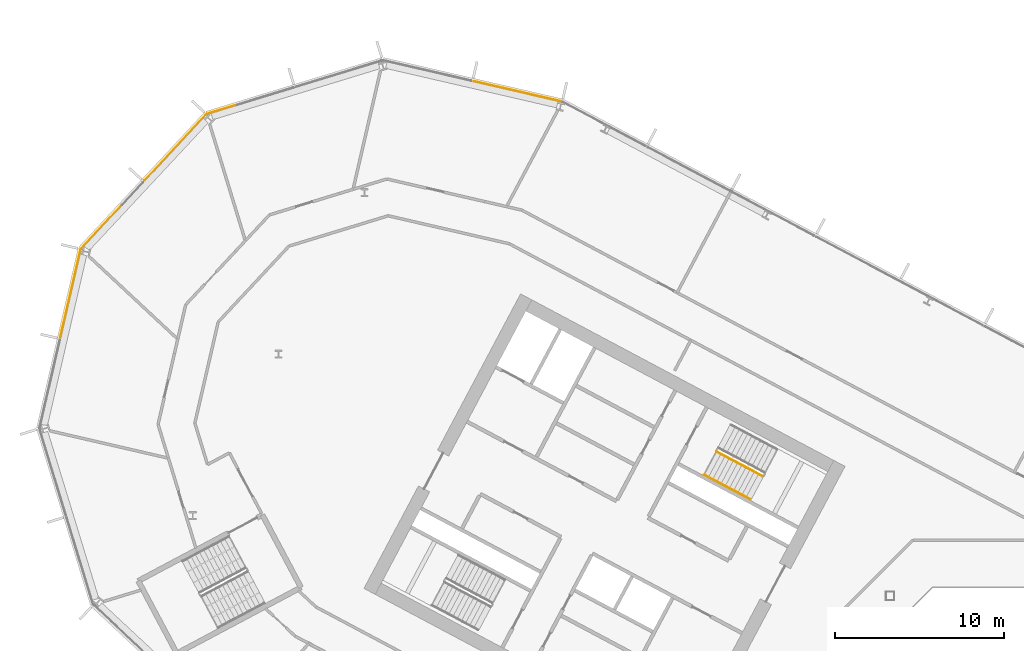
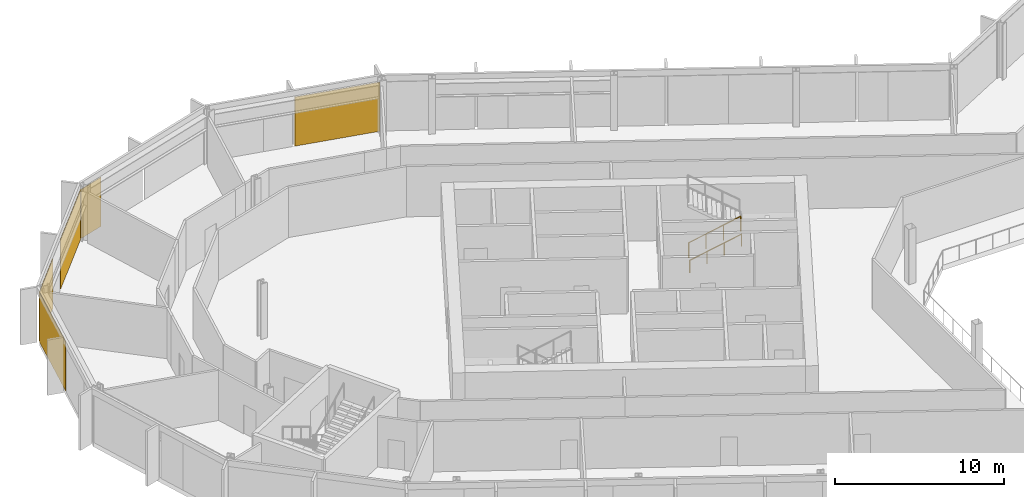
# One storey, part 22 of 28: 5 coverings, 2 railings, 4 elements without a shape of their own.
"""IFC4 building model written with IfcOpenShell, lengths in metres."""

from ifc_helpers import new_model, si_unit, direction, frame, origin, origin_2d, place, context, subcontext, project, spatial, polyline, rectangle, outline, extrude, material, layer, layer_set, type_object, element, aggregate, save


model = new_model("IFC4")

# Units and contexts
model_context = context("Model", 3, precision=1e-05, world=origin(), true_north=direction((0.0, 1.0)))
body_context = subcontext(model_context, "Body", "Model", "MODEL_VIEW")
ifc_project = project(units=[si_unit("LENGTHUNIT", "METRE"), si_unit("AREAUNIT", "SQUARE_METRE"), si_unit("VOLUMEUNIT", "CUBIC_METRE"), si_unit("PLANEANGLEUNIT", "RADIAN"), si_unit("MASSUNIT", "GRAM", prefix="KILO")], contexts=[model_context])

# Site, building, storey
site_placement = place(None, origin())
site = spatial("IfcSite", under=ifc_project, at=site_placement, CompositionType="ELEMENT")
building_placement = place(site_placement, origin())
building = spatial("IfcBuilding", under=site, at=building_placement, Name="Cormorant Relay Tower", CompositionType="ELEMENT")
storey_placement = place(building_placement, frame((0.0, 0.0, 134.199951171875)))
storey = spatial("IfcBuildingStorey", under=building, at=storey_placement, Name="L27", CompositionType="ELEMENT", Elevation=134.199951171875)

# Curtain wall, covering
ifc_material_1 = material(Name="Aluminium 6063-T6 anodised bronze", Category="aluminium")
ifc_layer_1 = layer(ifc_material_1, 0.199951171875)
ifc_layer_set_1 = layer_set([ifc_layer_1], Name="CW1 unitised bronze curtain wall with vertical fins")
curtain_wall_type = type_object("IfcCurtainWallType", Name="CW1 unitised bronze curtain wall with vertical fins", PredefinedType="NOTDEFINED", material=ifc_layer_set_1)
curtain_wall_1_placement = place(storey_placement, origin())
curtain_wall_1 = element("IfcCurtainWall", 1, at=curtain_wall_1_placement, inside=storey, type_object=curtain_wall_type, Name="CW1 curtain wall 10", PredefinedType="NOTDEFINED")
ifc_material_2 = material(Name="Pale bronze anodised aluminium insulated panel", Category="aluminium")
ifc_layer_2 = layer(ifc_material_2, 0.0400390625)
ifc_layer_set_2 = layer_set([ifc_layer_2], Name="CW1 pale bronze insulated panel 40")
covering_type = type_object("IfcCoveringType", Name="CW1 pale bronze insulated panel 40", PredefinedType="CLADDING", material=ifc_layer_set_2)
covering_1_placement = place(storey_placement, frame((-32.51708984375, 40.298828125, 0.0), z_axis=(0.0, 0.0, 1.0), x_axis=(-0.974370064785, 0.224951054344, 0.0)))
covering_1 = element("IfcCovering", 2, at=covering_1_placement, type_object=covering_type, Name="CW1 panel S00", PredefinedType="CLADDING", context=body_context, shape_type="SweptSolid", body=[
    extrude(rectangle(XDim=5.28515625, YDim=0.0400390625, at=origin_2d()), origin(), (0.0, 0.0, 1.0), 3.550048828125),
])
aggregate(curtain_wall_1, [covering_1])

curtain_wall_2_placement = place(storey_placement, origin())
curtain_wall_2 = element("IfcCurtainWall", 3, at=curtain_wall_2_placement, inside=storey, type_object=curtain_wall_type, Name="CW1 curtain wall 11", PredefinedType="NOTDEFINED")
covering_2_placement = place(storey_placement, frame((-50.025146484375, 39.211669921875, 0.0), z_axis=(0.0, 0.0, 1.0), x_axis=(-0.956304755963, -0.292371704723, 0.0)))
covering_2 = element("IfcCovering", 4, at=covering_2_placement, type_object=covering_type, Name="CW1 panel S02", PredefinedType="CLADDING", context=body_context, shape_type="SweptSolid", body=[
    extrude(rectangle(XDim=1.76025390625, YDim=0.0400390625, at=origin_2d()), origin(), (0.0, 0.0, 1.0), 3.550048828125),
])
aggregate(curtain_wall_2, [covering_2])

# Curtain wall, coverings
curtain_wall_3_placement = place(storey_placement, origin())
curtain_wall_3 = element("IfcCurtainWall", 5, at=curtain_wall_3_placement, inside=storey, type_object=curtain_wall_type, Name="CW1 curtain wall 12", PredefinedType="NOTDEFINED")
covering_3_placement = place(storey_placement, frame((-52.72900390625, 36.961181640625, 0.0), z_axis=(0.0, 0.0, 1.0), x_axis=(-0.681998360062, -0.731353701619, 0.0)))
covering_3 = element("IfcCovering", 6, at=covering_3_placement, type_object=covering_type, Name="CW1 panel S00", PredefinedType="CLADDING", context=body_context, shape_type="SweptSolid", body=[
    extrude(rectangle(XDim=5.28515625, YDim=0.0400390625, at=origin_2d()), origin(), (0.0, 0.0, 1.0), 3.550048828125),
])
covering_4_placement = place(storey_placement, frame((-57.0751953125, 32.300537109375, 0.0), z_axis=(0.0, 0.0, 1.0), x_axis=(-0.681998360062, -0.731353701619, 0.0)))
covering_4 = element("IfcCovering", 7, at=covering_4_placement, type_object=covering_type, Name="CW1 panel S02", PredefinedType="CLADDING", context=body_context, shape_type="SweptSolid", body=[
    extrude(rectangle(XDim=3.560302734375, YDim=0.0400390625, at=origin_2d()), origin(), (0.0, 0.0, 1.0), 3.550048828125),
])
aggregate(curtain_wall_3, [covering_3, covering_4])

# Curtain wall, covering
curtain_wall_4_placement = place(storey_placement, origin())
curtain_wall_4 = element("IfcCurtainWall", 8, at=curtain_wall_4_placement, inside=storey, type_object=curtain_wall_type, Name="CW1 curtain wall 13", PredefinedType="NOTDEFINED")
covering_5_placement = place(storey_placement, frame((-58.905517578125, 28.341796875, 0.0), z_axis=(0.0, 0.0, 1.0), x_axis=(-0.224951054344, -0.974370064785, 0.0)))
covering_5 = element("IfcCovering", 9, at=covering_5_placement, type_object=covering_type, Name="CW1 panel S00", PredefinedType="CLADDING", context=body_context, shape_type="SweptSolid", body=[
    extrude(rectangle(XDim=5.28515625, YDim=0.0400390625, at=origin_2d()), origin(), (0.0, 0.0, 1.0), 3.550048828125),
])
aggregate(curtain_wall_4, [covering_5])

# Railings
ifc_material_3 = material(Name="Steel ASTM A572 Grade 50 (Fy 345 MPa)", Category="steel")
railing_type_1 = type_object("IfcRailingType", Name="Stair guard 1100", PredefinedType="GUARDRAIL", material=ifc_material_3)
railing_1_placement = place(storey_placement, frame((-20.75048828125, 19.017822265625, 0.166748046875)))
element("IfcRailing", 10, at=railing_1_placement, inside=storey, type_object=railing_type_1, Name="L27 A1 stair guard 1", PredefinedType="GUARDRAIL", context=body_context, shape_type="SweptSolid", body=[
    extrude(outline(polyline([(0.022216796875, 0.00927734375), (0.00927734375, 0.022216796875), (-0.00927734375, 0.022216796875), (-0.022216796875, 0.00927734375), (-0.022216796875, -0.00927734375), (-0.00927734375, -0.022216796875), (0.00927734375, -0.022216796875), (0.022216796875, -0.00927734375), (0.022216796875, 0.00927734375)])), frame((0.0, 0.0, 1.076171875), z_axis=(0.758734504837, -0.403377838015, 0.511476559549), x_axis=(0.469427602063, 0.882970965786, 0.0)), (0.0, 0.0, 1.0), 3.584228515625),
    extrude(outline(polyline([(0.019287109375, 0.008056640625), (0.008056640625, 0.019287109375), (-0.008056640625, 0.019287109375), (-0.019287109375, 0.008056640625), (-0.019287109375, -0.008056640625), (-0.008056640625, -0.019287109375), (0.008056640625, -0.019287109375), (0.019287109375, -0.008056640625), (0.019287109375, 0.008056640625)])), origin(), (0.0, 0.0, 1.0), 1.052001953125),
    extrude(outline(polyline([(0.019287109375, 0.008056640625), (0.008056640625, 0.019287109375), (-0.008056640625, 0.019287109375), (-0.019287109375, 0.008056640625), (-0.019287109375, -0.008056640625), (-0.008056640625, -0.019287109375), (0.008056640625, -0.019287109375), (0.019287109375, -0.008056640625), (0.019287109375, 0.008056640625)])), frame((0.906494140625, -0.48193359375, 0.611083984375)), (0.0, 0.0, 1.0), 1.052001953125),
    extrude(outline(polyline([(0.019287109375, 0.008056640625), (0.008056640625, 0.019287109375), (-0.008056640625, 0.019287109375), (-0.019287109375, 0.008056640625), (-0.019287109375, -0.008056640625), (-0.008056640625, -0.019287109375), (0.008056640625, -0.019287109375), (0.019287109375, -0.008056640625), (0.019287109375, 0.008056640625)])), frame((1.81298828125, -0.9638671875, 1.22216796875)), (0.0, 0.0, 1.0), 1.052001953125),
    extrude(outline(polyline([(0.019287109375, 0.008056640625), (0.008056640625, 0.019287109375), (-0.008056640625, 0.019287109375), (-0.019287109375, 0.008056640625), (-0.019287109375, -0.008056640625), (-0.008056640625, -0.019287109375), (0.008056640625, -0.019287109375), (0.019287109375, -0.008056640625), (0.019287109375, 0.008056640625)])), frame((2.719482421875, -1.44580078125, 1.833251953125)), (0.0, 0.0, 1.0), 1.052001953125),
])
ifc_material_4 = material(Name="Steel ASTM A572 Grade 50 (Fy 345 MPa)", Category="steel")
railing_type_2 = type_object("IfcRailingType", Name="Stair handrail 900", PredefinedType="HANDRAIL", material=ifc_material_4)
railing_2_placement = place(storey_placement, frame((-21.478271484375, 17.6494140625, 0.166748046875)))
element("IfcRailing", 11, at=railing_2_placement, inside=storey, type_object=railing_type_2, Name="L27 A1 stair handrail 1", PredefinedType="HANDRAIL", context=body_context, shape_type="SweptSolid", body=[
    extrude(outline(polyline([(0.022216796875, 0.00927734375), (0.00927734375, 0.022216796875), (-0.00927734375, 0.022216796875), (-0.022216796875, 0.00927734375), (-0.022216796875, -0.00927734375), (-0.00927734375, -0.022216796875), (0.00927734375, -0.022216796875), (0.022216796875, -0.00927734375), (0.022216796875, 0.00927734375)])), frame((0.0, 0.0, 0.8759765625), z_axis=(0.758713656843, -0.403434867536, 0.511462505542), x_axis=(0.469489399267, 0.882938108802, 0.0)), (0.0, 0.0, 1.0), 3.584228515625),
    extrude(outline(polyline([(0.019287109375, 0.008056640625), (0.008056640625, 0.019287109375), (-0.008056640625, 0.019287109375), (-0.019287109375, 0.008056640625), (-0.019287109375, -0.008056640625), (-0.008056640625, -0.019287109375), (0.008056640625, -0.019287109375), (0.019287109375, -0.008056640625), (0.019287109375, 0.008056640625)])), origin(), (0.0, 0.0, 1.0), 0.851806640625),
    extrude(outline(polyline([(0.019287109375, 0.008056640625), (0.008056640625, 0.019287109375), (-0.008056640625, 0.019287109375), (-0.019287109375, 0.008056640625), (-0.019287109375, -0.008056640625), (-0.008056640625, -0.019287109375), (0.008056640625, -0.019287109375), (0.019287109375, -0.008056640625), (0.019287109375, 0.008056640625)])), frame((0.906494140625, -0.48193359375, 0.611083984375)), (0.0, 0.0, 1.0), 0.851806640625),
    extrude(outline(polyline([(0.019287109375, 0.008056640625), (0.008056640625, 0.019287109375), (-0.008056640625, 0.019287109375), (-0.019287109375, 0.008056640625), (-0.019287109375, -0.008056640625), (-0.008056640625, -0.019287109375), (0.008056640625, -0.019287109375), (0.019287109375, -0.008056640625), (0.019287109375, 0.008056640625)])), frame((1.81298828125, -0.964111328125, 1.22216796875)), (0.0, 0.0, 1.0), 0.851806640625),
    extrude(outline(polyline([(0.019287109375, 0.008056640625), (0.008056640625, 0.019287109375), (-0.008056640625, 0.019287109375), (-0.019287109375, 0.008056640625), (-0.019287109375, -0.008056640625), (-0.008056640625, -0.019287109375), (0.008056640625, -0.019287109375), (0.019287109375, -0.008056640625), (0.019287109375, 0.008056640625)])), frame((2.719482421875, -1.446044921875, 1.833251953125)), (0.0, 0.0, 1.0), 0.851806640625),
])

save(model, "model.ifc")
